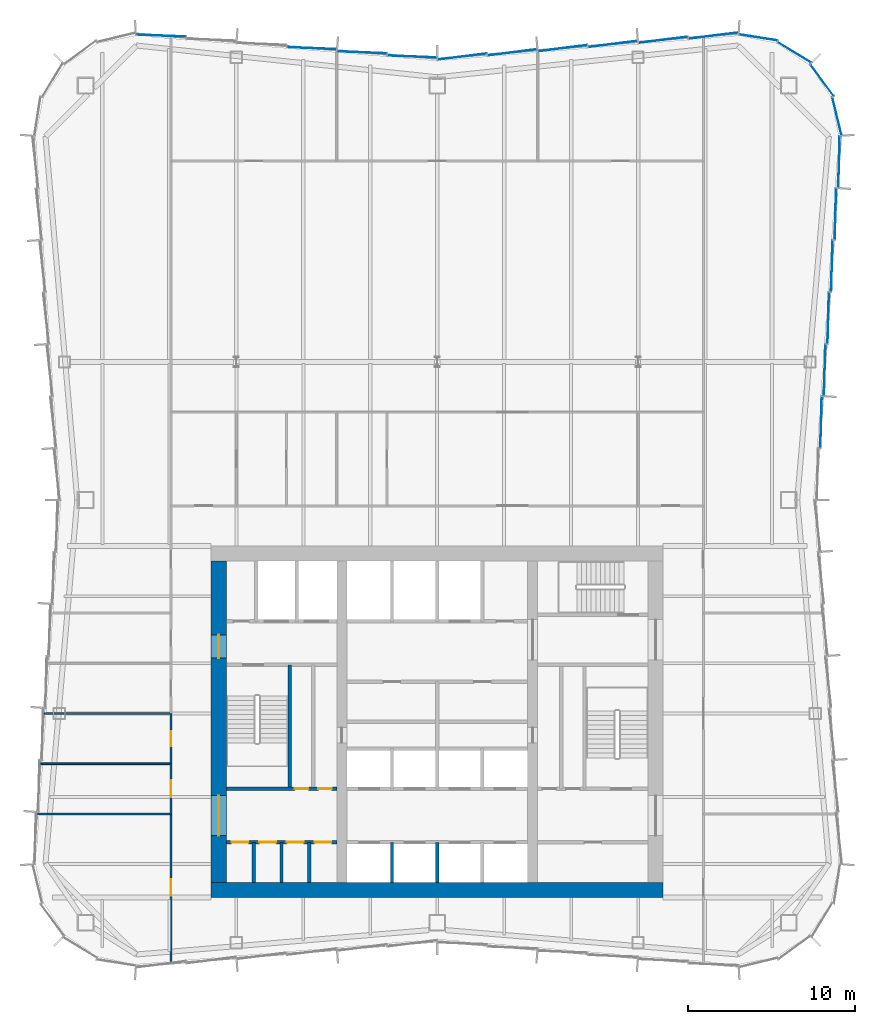
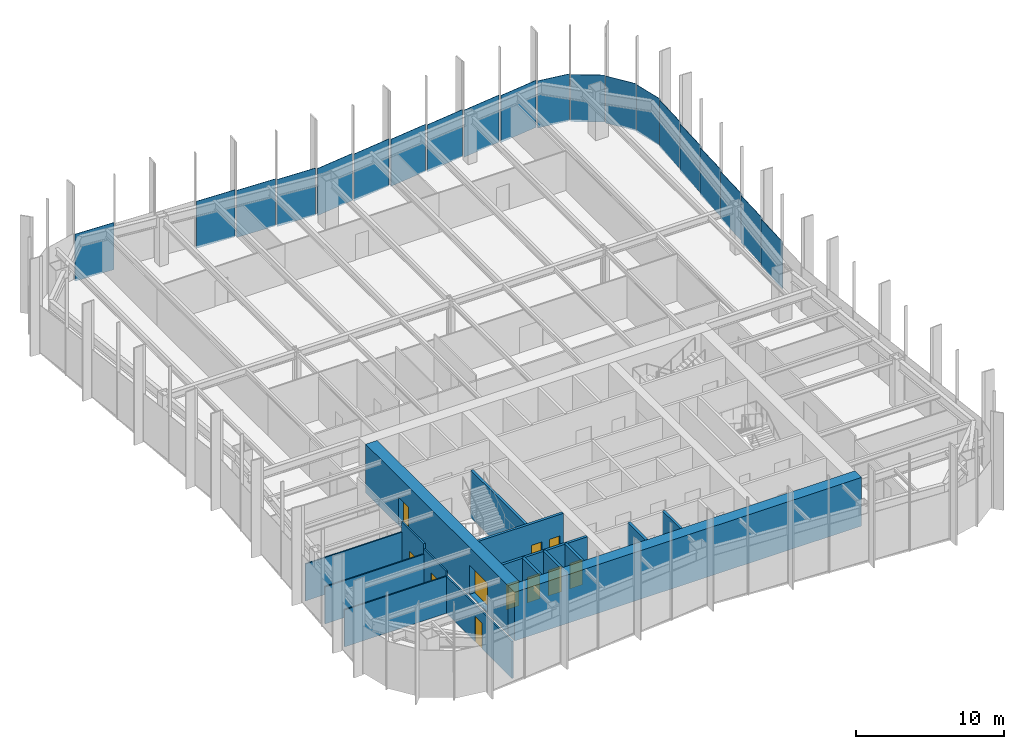
# One storey, part 9 of 13: 20 plates, 16 walls, 11 doors, 11 openings, 3 elements without a shape of their own.
"""IFC4 building model written with IfcOpenShell, lengths in metres."""

from ifc_helpers import new_model, si_unit, direction, frame, frame_2d, origin, origin_2d, place, context, subcontext, project, spatial, rectangle, extrude, material, layer, layer_set, type_object, element, fill, aggregate, save


model = new_model("IFC4")

# Units and contexts
model_context = context("Model", 3, precision=1e-05, world=origin(), true_north=direction((0.0, 1.0)))
body_context = subcontext(model_context, "Body", "Model", "MODEL_VIEW")
ifc_project = project(units=[si_unit("LENGTHUNIT", "METRE"), si_unit("AREAUNIT", "SQUARE_METRE"), si_unit("VOLUMEUNIT", "CUBIC_METRE"), si_unit("PLANEANGLEUNIT", "RADIAN"), si_unit("MASSUNIT", "GRAM", prefix="KILO")], contexts=[model_context])

# Site, building, storey
site_placement = place(None, origin())
site = spatial("IfcSite", under=ifc_project, at=site_placement, CompositionType="ELEMENT")
building_placement = place(site_placement, origin())
building = spatial("IfcBuilding", under=site, at=building_placement, Name="Verdant Reach Tower", CompositionType="ELEMENT")
storey_placement = place(building_placement, frame((0.0, 0.0, 218.0)))
storey = spatial("IfcBuildingStorey", under=building, at=storey_placement, Name="L50", CompositionType="ELEMENT", Elevation=218.0)

# Curtain wall, plates
ifc_material_1 = material(Name="Anodised aluminium", Category="aluminium")
curtain_wall_type = type_object("IfcCurtainWallType", Name="EN-CW SYSTEM Z3", PredefinedType="NOTDEFINED", material=ifc_material_1)
curtain_wall_1_placement = place(storey_placement, origin())
curtain_wall_1 = element("IfcCurtainWall", 1, at=curtain_wall_1_placement, inside=storey, type_object=curtain_wall_type, Name="Curtain wall east, L50", PredefinedType="NOTDEFINED")
ifc_material_2 = material(Name="Tinted glass with champagne spandrel", Category="glass")
ifc_layer_1 = layer(ifc_material_2, 0.031982421875)
ifc_layer_set_1 = layer_set([ifc_layer_1], Name="EN-PANEL CHAMPAGNE")
plate_type_1 = type_object("IfcPlateType", Name="EN-PANEL CHAMPAGNE", PredefinedType="CURTAIN_PANEL", material=ifc_layer_set_1)
plate_1_placement = place(storey_placement, frame((23.787353515625, 58.331787109375, -0.22412109375), z_axis=(0.0, 0.0, 1.0), x_axis=(0.026965318308, 0.999636369691, 0.0)))
plate_1 = element("IfcPlate", 2, at=plate_1_placement, type_object=plate_type_1, Name="Glass panel east face part 2 6.1, L50", PredefinedType="CURTAIN_PANEL", context=body_context, shape_type="SweptSolid", body=[
    extrude(rectangle(XDim=3.052490234375, YDim=0.031982421875, at=origin_2d()), origin(), (0.0, 0.0, 1.0), 3.8740234375),
])
plate_2_placement = place(storey_placement, frame((24.001708984375, 61.446044921875, -0.22412109375), z_axis=(0.0, 0.0, 1.0), x_axis=(0.026659626966, 0.999644568979, 0.0)))
plate_2 = element("IfcPlate", 3, at=plate_2_placement, type_object=plate_type_1, Name="Glass panel east face part 2 7.1, L50", PredefinedType="CURTAIN_PANEL", context=body_context, shape_type="SweptSolid", body=[
    extrude(rectangle(XDim=3.06689453125, YDim=0.031982421875, at=origin_2d()), origin(), (0.0, 0.0, 1.0), 3.8740234375),
])

curtain_wall_2_placement = place(storey_placement, origin())
curtain_wall_2 = element("IfcCurtainWall", 4, at=curtain_wall_2_placement, inside=storey, type_object=curtain_wall_type, Name="Curtain wall north, L50", PredefinedType="NOTDEFINED")
plate_3_placement = place(storey_placement, frame((10.490966796875, 68.483642578125, -0.22412109375), z_axis=(0.0, 0.0, 1.0), x_axis=(-0.992194034542, -0.124703639961, 0.0)))
plate_3 = element("IfcPlate", 5, at=plate_3_placement, type_object=plate_type_1, Name="Glass panel north face part 1 3.1, L50", PredefinedType="CURTAIN_PANEL", context=body_context, shape_type="SweptSolid", body=[
    extrude(rectangle(XDim=2.948486328125, YDim=0.031982421875, at=origin_2d()), origin(), (0.0, 0.0, 1.0), 3.8740234375),
])
plate_4_placement = place(storey_placement, frame((7.490966796875, 68.233642578125, -0.22412109375), z_axis=(0.0, 0.0, 1.0), x_axis=(-0.992194034542, -0.124703639961, 0.0)))
plate_4 = element("IfcPlate", 6, at=plate_4_placement, type_object=plate_type_1, Name="Glass panel north face part 1 4.1, L50", PredefinedType="CURTAIN_PANEL", context=body_context, shape_type="SweptSolid", body=[
    extrude(rectangle(XDim=2.948486328125, YDim=0.031982421875, at=origin_2d()), origin(), (0.0, 0.0, 1.0), 3.8740234375),
])
plate_5_placement = place(storey_placement, frame((-16.49853515625, 68.983642578125, -0.22412109375), z_axis=(0.0, 0.0, 1.0), x_axis=(-0.999163623568, 0.040890748818, 0.0)))
plate_5 = element("IfcPlate", 7, at=plate_5_placement, type_object=plate_type_1, Name="Glass panel north face part 2 6.1, L50", PredefinedType="CURTAIN_PANEL", context=body_context, shape_type="SweptSolid", body=[
    extrude(rectangle(XDim=2.963623046875, YDim=0.031982421875, at=origin_2d()), origin(), (0.0, 0.0, 1.0), 3.8740234375),
])

# Plate
ifc_material_3 = material(Name="Tinted glass with copper spandrel", Category="glass")
ifc_layer_2 = layer(ifc_material_3, 0.031982421875)
ifc_layer_set_2 = layer_set([ifc_layer_2], Name="EN-PANEL COPPER")
plate_type_2 = type_object("IfcPlateType", Name="EN-PANEL COPPER", PredefinedType="CURTAIN_PANEL", material=ifc_layer_set_2)
plate_6_placement = place(storey_placement, frame((22.93017578125, 45.9033203125, -0.22412109375), z_axis=(0.0, 0.0, 1.0), x_axis=(0.026965318308, 0.999636369691, 0.0)))
plate_6 = element("IfcPlate", 8, at=plate_6_placement, type_object=plate_type_2, Name="Glass panel east face part 2 2.1, L50", PredefinedType="CURTAIN_PANEL", context=body_context, shape_type="SweptSolid", body=[
    extrude(rectangle(XDim=3.052490234375, YDim=0.031982421875, at=origin_2d()), origin(), (0.0, 0.0, 1.0), 3.8740234375),
])

plate_7_placement = place(storey_placement, frame((23.14453125, 49.01025390625, -0.22412109375), z_axis=(0.0, 0.0, 1.0), x_axis=(0.026965318308, 0.999636369691, 0.0)))
plate_7 = element("IfcPlate", 9, at=plate_7_placement, type_object=plate_type_2, Name="Glass panel east face part 2 3.1, L50", PredefinedType="CURTAIN_PANEL", context=body_context, shape_type="SweptSolid", body=[
    extrude(rectangle(XDim=3.052490234375, YDim=0.031982421875, at=origin_2d()), origin(), (0.0, 0.0, 1.0), 3.8740234375),
])

# Curtain wall, plate
curtain_wall_3_placement = place(storey_placement, origin())
curtain_wall_3 = element("IfcCurtainWall", 10, at=curtain_wall_3_placement, inside=storey, type_object=curtain_wall_type, Name="Curtain wall north-east corner, L50", PredefinedType="NOTDEFINED")
plate_8_placement = place(storey_placement, frame((23.87646484375, 64.17236328125, -0.22412109375), z_axis=(0.0, 0.0, 1.0), x_axis=(-0.23644624331, 0.97164457186, 0.0)))
plate_8 = element("IfcPlate", 11, at=plate_8_placement, type_object=plate_type_2, Name="Glass panel north-east corner 1.1, L50", PredefinedType="CURTAIN_PANEL", context=body_context, shape_type="SweptSolid", body=[
    extrude(rectangle(XDim=2.314697265625, YDim=0.031982421875, at=origin_2d()), origin(), (0.0, 0.0, 1.0), 3.8740234375),
])

# Plate
plate_9_placement = place(storey_placement, frame((4.490966796875, 67.983642578125, -0.22412109375), z_axis=(0.0, 0.0, 1.0), x_axis=(-0.992194034542, -0.124703639961, 0.0)))
plate_9 = element("IfcPlate", 12, at=plate_9_placement, type_object=plate_type_2, Name="Glass panel north face part 1 5.1, L50", PredefinedType="CURTAIN_PANEL", context=body_context, shape_type="SweptSolid", body=[
    extrude(rectangle(XDim=2.948486328125, YDim=0.031982421875, at=origin_2d()), origin(), (0.0, 0.0, 1.0), 3.8740234375),
])

plate_10_placement = place(storey_placement, frame((1.495361328125, 67.73388671875, -0.22412109375), z_axis=(0.0, 0.0, 1.0), x_axis=(-0.992178382939, -0.124828107529, 0.0)))
plate_10 = element("IfcPlate", 13, at=plate_10_placement, type_object=plate_type_2, Name="Glass panel north face part 1 6.1, L50", PredefinedType="CURTAIN_PANEL", context=body_context, shape_type="SweptSolid", body=[
    extrude(rectangle(XDim=2.939453125, YDim=0.031982421875, at=origin_2d()), origin(), (0.0, 0.0, 1.0), 3.8740234375),
])

plate_11_placement = place(storey_placement, frame((-1.495361328125, 67.73388671875, -0.22412109375), z_axis=(0.0, 0.0, 1.0), x_axis=(-0.999144020525, 0.041366970501, 0.0)))
plate_11 = element("IfcPlate", 14, at=plate_11_placement, type_object=plate_type_2, Name="Glass panel north face part 2 1.1, L50", PredefinedType="CURTAIN_PANEL", context=body_context, shape_type="SweptSolid", body=[
    extrude(rectangle(XDim=2.939453125, YDim=0.031982421875, at=origin_2d()), origin(), (0.0, 0.0, 1.0), 3.8740234375),
])

ifc_material_4 = material(Name="Tinted glass with dark bronze spandrel", Category="glass")
ifc_layer_3 = layer(ifc_material_4, 0.031982421875)
ifc_layer_set_3 = layer_set([ifc_layer_3], Name="EN-PANEL DARK")
plate_type_3 = type_object("IfcPlateType", Name="EN-PANEL DARK", PredefinedType="CURTAIN_PANEL", material=ifc_layer_set_3)
plate_12_placement = place(storey_placement, frame((23.358642578125, 52.117431640625, -0.22412109375), z_axis=(0.0, 0.0, 1.0), x_axis=(0.026965318308, 0.999636369691, 0.0)))
plate_12 = element("IfcPlate", 15, at=plate_12_placement, type_object=plate_type_3, Name="Glass panel east face part 2 4.1, L50", PredefinedType="CURTAIN_PANEL", context=body_context, shape_type="SweptSolid", body=[
    extrude(rectangle(XDim=3.052490234375, YDim=0.031982421875, at=origin_2d()), origin(), (0.0, 0.0, 1.0), 3.8740234375),
])

plate_13_placement = place(storey_placement, frame((23.572998046875, 55.224609375, -0.22412109375), z_axis=(0.0, 0.0, 1.0), x_axis=(0.026965318308, 0.999636369691, 0.0)))
plate_13 = element("IfcPlate", 16, at=plate_13_placement, type_object=plate_type_3, Name="Glass panel east face part 2 5.1, L50", PredefinedType="CURTAIN_PANEL", context=body_context, shape_type="SweptSolid", body=[
    extrude(rectangle(XDim=3.052490234375, YDim=0.031982421875, at=origin_2d()), origin(), (0.0, 0.0, 1.0), 3.8740234375),
])

aggregate(curtain_wall_1, [plate_6, plate_7, plate_12, plate_13, plate_1, plate_2])

plate_14_placement = place(storey_placement, frame((22.98193359375, 66.328857421875, -0.22412109375), z_axis=(0.0, 0.0, 1.0), x_axis=(-0.589926747542, 0.807456768214, 0.0)))
plate_14 = element("IfcPlate", 17, at=plate_14_placement, type_object=plate_type_3, Name="Glass panel north-east corner 2.1, L50", PredefinedType="CURTAIN_PANEL", context=body_context, shape_type="SweptSolid", body=[
    extrude(rectangle(XDim=2.321533203125, YDim=0.031982421875, at=origin_2d()), origin(), (0.0, 0.0, 1.0), 3.8740234375),
])

plate_15_placement = place(storey_placement, frame((21.328857421875, 67.98193359375, -0.22412109375), z_axis=(0.0, 0.0, 1.0), x_axis=(-0.853988701636, 0.520291550457, 0.0)))
plate_15 = element("IfcPlate", 18, at=plate_15_placement, type_object=plate_type_3, Name="Glass panel north-east corner 3.1, L50", PredefinedType="CURTAIN_PANEL", context=body_context, shape_type="SweptSolid", body=[
    extrude(rectangle(XDim=2.321533203125, YDim=0.031982421875, at=origin_2d()), origin(), (0.0, 0.0, 1.0), 3.8740234375),
])

plate_16_placement = place(storey_placement, frame((19.171875, 68.87646484375, -0.22412109375), z_axis=(0.0, 0.0, 1.0), x_axis=(-0.988029071555, 0.154267798848, 0.0)))
plate_16 = element("IfcPlate", 19, at=plate_16_placement, type_object=plate_type_3, Name="Glass panel north-east corner 4.1, L50", PredefinedType="CURTAIN_PANEL", context=body_context, shape_type="SweptSolid", body=[
    extrude(rectangle(XDim=2.3154296875, YDim=0.031982421875, at=origin_2d()), origin(), (0.0, 0.0, 1.0), 3.8740234375),
])

aggregate(curtain_wall_3, [plate_8, plate_14, plate_15, plate_16])

plate_17_placement = place(storey_placement, frame((16.49853515625, 68.983642578125, -0.22412109375), z_axis=(0.0, 0.0, 1.0), x_axis=(-0.992237766434, -0.124355196363, 0.0)))
plate_17 = element("IfcPlate", 20, at=plate_17_placement, type_object=plate_type_3, Name="Glass panel north face part 1 1.1, L50", PredefinedType="CURTAIN_PANEL", context=body_context, shape_type="SweptSolid", body=[
    extrude(rectangle(XDim=2.963623046875, YDim=0.031982421875, at=origin_2d()), origin(), (0.0, 0.0, 1.0), 3.8740234375),
])

plate_18_placement = place(storey_placement, frame((13.490966796875, 68.733642578125, -0.22412109375), z_axis=(0.0, 0.0, 1.0), x_axis=(-0.992194034542, -0.124703639961, 0.0)))
plate_18 = element("IfcPlate", 21, at=plate_18_placement, type_object=plate_type_3, Name="Glass panel north face part 1 2.1, L50", PredefinedType="CURTAIN_PANEL", context=body_context, shape_type="SweptSolid", body=[
    extrude(rectangle(XDim=2.948486328125, YDim=0.031982421875, at=origin_2d()), origin(), (0.0, 0.0, 1.0), 3.8740234375),
])

plate_19_placement = place(storey_placement, frame((-4.490966796875, 67.983642578125, -0.22412109375), z_axis=(0.0, 0.0, 1.0), x_axis=(-0.999149202059, 0.041241629766, 0.0)))
plate_19 = element("IfcPlate", 22, at=plate_19_placement, type_object=plate_type_3, Name="Glass panel north face part 2 2.1, L50", PredefinedType="CURTAIN_PANEL", context=body_context, shape_type="SweptSolid", body=[
    extrude(rectangle(XDim=2.948486328125, YDim=0.031982421875, at=origin_2d()), origin(), (0.0, 0.0, 1.0), 3.8740234375),
])

plate_20_placement = place(storey_placement, frame((-7.490966796875, 68.233642578125, -0.22412109375), z_axis=(0.0, 0.0, 1.0), x_axis=(-0.999149202059, 0.041241629766, 0.0)))
plate_20 = element("IfcPlate", 23, at=plate_20_placement, type_object=plate_type_3, Name="Glass panel north face part 2 3.1, L50", PredefinedType="CURTAIN_PANEL", context=body_context, shape_type="SweptSolid", body=[
    extrude(rectangle(XDim=2.948486328125, YDim=0.031982421875, at=origin_2d()), origin(), (0.0, 0.0, 1.0), 3.8740234375),
])

aggregate(curtain_wall_2, [plate_17, plate_18, plate_3, plate_4, plate_9, plate_10, plate_11, plate_19, plate_20, plate_5])

# Wall, openings, doors
ifc_material_5 = material(Name="Gypsum board on steel studs", Category="steel")
ifc_layer_4 = layer(ifc_material_5, 0.199951171875)
ifc_layer_set_4 = layer_set([ifc_layer_4], Name="CO-WALL-ROOM")
wall_type_1 = type_object("IfcWallType", Name="CO-WALL-ROOM", PredefinedType="PARTITIONING", material=ifc_layer_set_4)
wall_1_placement = place(storey_placement, frame((-12.60009765625, 20.800048828125, 0.0), z_axis=(0.0, 0.0, 1.0), x_axis=(1.0, 0.0, 0.0)))
wall_1 = element("IfcWall", 24, at=wall_1_placement, inside=storey, type_object=wall_type_1, Name="Core partition, L50", PredefinedType="PARTITIONING", context=body_context, shape_type="SweptSolid", body=[
    extrude(rectangle(XDim=6.60009765625, YDim=0.199951171875, at=frame_2d((3.300048828125, 0.0))), origin(), (0.0, 0.0, 1.0), 3.8701171875),
])
opening_1_placement = place(wall_1_placement, frame((0.324951171875, 0.0, 0.0)))
opening_1 = element("IfcOpeningElement", 25, at=opening_1_placement, cuts=wall_1, Name="Opening CD", PredefinedType="OPENING", context=body_context, shape_type="SweptSolid", body=[
    extrude(rectangle(XDim=1.0, YDim=2.10009765625, at=frame_2d((0.5, 1.050048828125))), frame((0.0, 0.10986328125, 0.0), z_axis=(0.0, -1.0, 0.0), x_axis=(1.0, 0.0, 0.0)), (0.0, 0.0, 1.0), 0.219970703125),
])
opening_2_placement = place(wall_1_placement, frame((1.97509765625, 0.0, 0.0)))
opening_2 = element("IfcOpeningElement", 26, at=opening_2_placement, cuts=wall_1, Name="Opening CD", PredefinedType="OPENING", context=body_context, shape_type="SweptSolid", body=[
    extrude(rectangle(XDim=1.0, YDim=2.10009765625, at=frame_2d((0.5, 1.050048828125))), frame((0.0, 0.10986328125, 0.0), z_axis=(0.0, -1.0, 0.0), x_axis=(1.0, 0.0, 0.0)), (0.0, 0.0, 1.0), 0.219970703125),
])
opening_3_placement = place(wall_1_placement, frame((3.625, 0.0, 0.0)))
opening_3 = element("IfcOpeningElement", 27, at=opening_3_placement, cuts=wall_1, Name="Opening CD", PredefinedType="OPENING", context=body_context, shape_type="SweptSolid", body=[
    extrude(rectangle(XDim=1.0, YDim=2.10009765625, at=frame_2d((0.5, 1.050048828125))), frame((0.0, 0.10986328125, 0.0), z_axis=(0.0, -1.0, 0.0), x_axis=(1.0, 0.0, 0.0)), (0.0, 0.0, 1.0), 0.219970703125),
])
opening_4_placement = place(wall_1_placement, frame((5.27490234375, 0.0, 0.0)))
opening_4 = element("IfcOpeningElement", 28, at=opening_4_placement, cuts=wall_1, Name="Opening CD", PredefinedType="OPENING", context=body_context, shape_type="SweptSolid", body=[
    extrude(rectangle(XDim=1.0, YDim=2.10009765625, at=frame_2d((0.5, 1.050048828125))), frame((0.0, 0.10986328125, 0.0), z_axis=(0.0, -1.0, 0.0), x_axis=(1.0, 0.0, 0.0)), (0.0, 0.0, 1.0), 0.219970703125),
])
ifc_material_6 = material(Name="Timber", Category="wood")
door_type_1 = type_object("IfcDoorType", Name="CO-DOOR-ROOM", OperationType="NOTDEFINED", PredefinedType="DOOR", material=ifc_material_6)
door_1_placement = place(opening_1_placement, origin())
door_1 = element("IfcDoor", 29, at=door_1_placement, inside=storey, type_object=door_type_1, Name="Core room door, L50", OperationType="SINGLE_SWING_RIGHT", OverallHeight=2.10009765625, OverallWidth=1.0, PredefinedType="DOOR", context=body_context, shape_type="SweptSolid", body=[
    extrude(rectangle(XDim=1.0, YDim=2.10009765625, at=frame_2d((0.5, 1.050048828125))), frame((0.0, 0.02490234375, 0.0), z_axis=(0.0, -1.0, 0.0), x_axis=(1.0, 0.0, 0.0)), (0.0, 0.0, 1.0), 0.050048828125),
])
fill(opening_1, door_1)
door_2_placement = place(opening_2_placement, origin())
door_2 = element("IfcDoor", 30, at=door_2_placement, inside=storey, type_object=door_type_1, Name="Core room door, L50", OperationType="SINGLE_SWING_RIGHT", OverallHeight=2.10009765625, OverallWidth=1.0, PredefinedType="DOOR", context=body_context, shape_type="SweptSolid", body=[
    extrude(rectangle(XDim=1.0, YDim=2.10009765625, at=frame_2d((0.5, 1.050048828125))), frame((0.0, 0.02490234375, 0.0), z_axis=(0.0, -1.0, 0.0), x_axis=(1.0, 0.0, 0.0)), (0.0, 0.0, 1.0), 0.050048828125),
])
fill(opening_2, door_2)
door_3_placement = place(opening_3_placement, origin())
door_3 = element("IfcDoor", 31, at=door_3_placement, inside=storey, type_object=door_type_1, Name="Core room door, L50", OperationType="SINGLE_SWING_LEFT", OverallHeight=2.10009765625, OverallWidth=1.0, PredefinedType="DOOR", context=body_context, shape_type="SweptSolid", body=[
    extrude(rectangle(XDim=1.0, YDim=2.10009765625, at=frame_2d((0.5, 1.050048828125))), frame((0.0, 0.02490234375, 0.0), z_axis=(0.0, -1.0, 0.0), x_axis=(1.0, 0.0, 0.0)), (0.0, 0.0, 1.0), 0.050048828125),
])
fill(opening_3, door_3)
door_4_placement = place(opening_4_placement, origin())
door_4 = element("IfcDoor", 32, at=door_4_placement, inside=storey, type_object=door_type_1, Name="Core room door, L50", OperationType="SINGLE_SWING_LEFT", OverallHeight=2.10009765625, OverallWidth=1.0, PredefinedType="DOOR", context=body_context, shape_type="SweptSolid", body=[
    extrude(rectangle(XDim=1.0, YDim=2.10009765625, at=frame_2d((0.5, 1.050048828125))), frame((0.0, 0.02490234375, 0.0), z_axis=(0.0, -1.0, 0.0), x_axis=(1.0, 0.0, 0.0)), (0.0, 0.0, 1.0), 0.050048828125),
])
fill(opening_4, door_4)

# Walls
for number, where, z_axis, x_axis, name in (
    (33, (-10.949951171875, 18.39990234375, 0.0), (0.0, 0.0, 1.0), (0.0, 1.0, 0.0), "Core partition, L50"),
    (34, (-9.300048828125, 18.39990234375, 0.0), (0.0, 0.0, 1.0), (0.0, 1.0, 0.0), "Core partition, L50"),
    (35, (-7.64990234375, 18.39990234375, 0.0), (0.0, 0.0, 1.0), (0.0, 1.0, 0.0), "Core partition, L50"),
):
    element("IfcWall", number, at=place(storey_placement, frame(where, z_axis=z_axis, x_axis=x_axis)), inside=storey, type_object=wall_type_1, Name=name, PredefinedType="PARTITIONING", context=body_context, shape_type="SweptSolid", body=[
        extrude(rectangle(XDim=2.400146484375, YDim=0.199951171875, at=frame_2d((1.2001953125, 0.0))), origin(), (0.0, 0.0, 1.0), 3.8701171875),
    ])
ifc_material_7 = material(Name="Concrete C40/50", Category="concrete")
ifc_layer_5 = layer(ifc_material_7, 0.199951171875)
ifc_layer_set_5 = layer_set([ifc_layer_5], Name="CO-WALL-SHAFT")
wall_type_2 = type_object("IfcWallType", Name="CO-WALL-SHAFT", PredefinedType="PARTITIONING", material=ifc_layer_set_5)
for number, where, z_axis, x_axis, name in (
    (36, (-2.699951171875, 18.39990234375, 0.0), (0.0, 0.0, 1.0), (0.0, 1.0, 0.0), "Lift shaft wall, L50"),
    (37, (0.0, 18.39990234375, 0.0), (0.0, 0.0, 1.0), (0.0, 1.0, 0.0), "Lift shaft wall, L50"),
):
    element("IfcWall", number, at=place(storey_placement, frame(where, z_axis=z_axis, x_axis=x_axis)), inside=storey, type_object=wall_type_2, Name=name, PredefinedType="PARTITIONING", context=body_context, shape_type="SweptSolid", body=[
        extrude(rectangle(XDim=2.400146484375, YDim=0.199951171875, at=frame_2d((1.2001953125, 0.0))), origin(), (0.0, 0.0, 1.0), 3.8701171875),
    ])

# Wall, openings, doors
ifc_layer_6 = layer(ifc_material_7, 0.199951171875)
ifc_layer_set_6 = layer_set([ifc_layer_6], Name="CO-WALL-STAIR")
wall_type_3 = type_object("IfcWallType", Name="CO-WALL-STAIR", PredefinedType="PARTITIONING", material=ifc_layer_set_6)
wall_2_placement = place(storey_placement, frame((-12.60009765625, 24.0, 0.0), z_axis=(0.0, 0.0, 1.0), x_axis=(1.0, 0.0, 0.0)))
wall_2 = element("IfcWall", 38, at=wall_2_placement, inside=storey, type_object=wall_type_3, Name="Stair enclosure wall, L50", PredefinedType="PARTITIONING", context=body_context, shape_type="SweptSolid", body=[
    extrude(rectangle(XDim=6.60009765625, YDim=0.199951171875, at=frame_2d((3.300048828125, 0.0))), origin(), (0.0, 0.0, 1.0), 3.8701171875),
])
opening_5_placement = place(wall_2_placement, frame((4.10009765625, 0.0, 0.0)))
opening_5 = element("IfcOpeningElement", 39, at=opening_5_placement, cuts=wall_2, Name="Opening CDN", PredefinedType="OPENING", context=body_context, shape_type="SweptSolid", body=[
    extrude(rectangle(XDim=0.800048828125, YDim=2.10009765625, at=frame_2d((0.39990234375, 1.050048828125))), frame((0.0, 0.10986328125, 0.0), z_axis=(0.0, -1.0, 0.0), x_axis=(1.0, 0.0, 0.0)), (0.0, 0.0, 1.0), 0.219970703125),
])
opening_6_placement = place(wall_2_placement, frame((5.5, 0.0, 0.0)))
opening_6 = element("IfcOpeningElement", 40, at=opening_6_placement, cuts=wall_2, Name="Opening CDN", PredefinedType="OPENING", context=body_context, shape_type="SweptSolid", body=[
    extrude(rectangle(XDim=0.800048828125, YDim=2.10009765625, at=frame_2d((0.39990234375, 1.050048828125))), frame((0.0, 0.10986328125, 0.0), z_axis=(0.0, -1.0, 0.0), x_axis=(1.0, 0.0, 0.0)), (0.0, 0.0, 1.0), 0.219970703125),
])
door_type_2 = type_object("IfcDoorType", Name="CO-DOOR-ROOM-NARROW", OperationType="NOTDEFINED", PredefinedType="DOOR", material=ifc_material_6)
door_5_placement = place(opening_5_placement, origin())
door_5 = element("IfcDoor", 41, at=door_5_placement, inside=storey, type_object=door_type_2, Name="Core room door, L50", OperationType="SINGLE_SWING_RIGHT", OverallHeight=2.10009765625, OverallWidth=0.800048828125, PredefinedType="DOOR", context=body_context, shape_type="SweptSolid", body=[
    extrude(rectangle(XDim=0.800048828125, YDim=2.10009765625, at=frame_2d((0.39990234375, 1.050048828125))), frame((0.0, 0.02490234375, 0.0), z_axis=(0.0, -1.0, 0.0), x_axis=(1.0, 0.0, 0.0)), (0.0, 0.0, 1.0), 0.050048828125),
])
fill(opening_5, door_5)
door_6_placement = place(opening_6_placement, origin())
door_6 = element("IfcDoor", 42, at=door_6_placement, inside=storey, type_object=door_type_2, Name="Core room door, L50", OperationType="SINGLE_SWING_LEFT", OverallHeight=2.10009765625, OverallWidth=0.800048828125, PredefinedType="DOOR", context=body_context, shape_type="SweptSolid", body=[
    extrude(rectangle(XDim=0.800048828125, YDim=2.10009765625, at=frame_2d((0.39990234375, 1.050048828125))), frame((0.0, 0.02490234375, 0.0), z_axis=(0.0, -1.0, 0.0), x_axis=(1.0, 0.0, 0.0)), (0.0, 0.0, 1.0), 0.050048828125),
])
fill(opening_6, door_6)

# Walls
wall_3_placement = place(storey_placement, frame((-8.800048828125, 24.0, 0.0), z_axis=(0.0, 0.0, 1.0), x_axis=(0.0, 1.0, 0.0)))
element("IfcWall", 43, at=wall_3_placement, inside=storey, type_object=wall_type_3, Name="Stair enclosure wall, L50", PredefinedType="PARTITIONING", context=body_context, shape_type="SweptSolid", body=[
    extrude(rectangle(XDim=7.39990234375, YDim=0.199951171875, at=frame_2d((3.699951171875, 0.0))), origin(), (0.0, 0.0, 1.0), 3.8701171875),
])
ifc_layer_7 = layer(ifc_material_5, 0.10009765625)
ifc_layer_set_7 = layer_set([ifc_layer_7], Name="FL-W1 Partition 100")
wall_type_4 = type_object("IfcWallType", Name="FL-W1 Partition 100", PredefinedType="PARTITIONING", material=ifc_layer_set_7)
wall_4_placement = place(storey_placement, frame((-15.89990234375, 22.5, 0.0), z_axis=(0.0, 0.0, 1.0), x_axis=(-1.0, 0.0, 0.0)))
element("IfcWall", 44, at=wall_4_placement, inside=storey, type_object=wall_type_4, Name="Partition 50.38", PredefinedType="PARTITIONING", context=body_context, shape_type="SweptSolid", body=[
    extrude(rectangle(XDim=7.97314453125, YDim=0.10009765625, at=frame_2d((3.986572265625, 0.0))), origin(), (0.0, 0.0, 1.0), 3.0400390625),
])
wall_5_placement = place(storey_placement, frame((-15.89990234375, 25.5, 0.0), z_axis=(0.0, 0.0, 1.0), x_axis=(-1.0, 0.0, 0.0)))
element("IfcWall", 45, at=wall_5_placement, inside=storey, type_object=wall_type_4, Name="Partition 50.39", PredefinedType="PARTITIONING", context=body_context, shape_type="SweptSolid", body=[
    extrude(rectangle(XDim=7.766357421875, YDim=0.10009765625, at=frame_2d((3.88330078125, 0.0))), origin(), (0.0, 0.0, 1.0), 3.0400390625),
])
wall_6_placement = place(storey_placement, frame((-15.89990234375, 28.5, 0.0), z_axis=(0.0, 0.0, 1.0), x_axis=(-1.0, 0.0, 0.0)))
element("IfcWall", 46, at=wall_6_placement, inside=storey, type_object=wall_type_4, Name="Partition 50.40", PredefinedType="PARTITIONING", context=body_context, shape_type="SweptSolid", body=[
    extrude(rectangle(XDim=7.559326171875, YDim=0.10009765625, at=frame_2d((3.77978515625, 0.0))), origin(), (0.0, 0.0, 1.0), 3.0400390625),
])

# Wall, opening, door
ifc_material_8 = material(Name="Gypsum board on steel studs, fire rated", Category="steel")
ifc_layer_8 = layer(ifc_material_8, 0.125)
ifc_layer_set_8 = layer_set([ifc_layer_8], Name="FL-W2 Corridor wall 125")
wall_type_5 = type_object("IfcWallType", Name="FL-W2 Corridor wall 125", PredefinedType="PARTITIONING", material=ifc_layer_set_8)
wall_7_placement = place(storey_placement, frame((-15.89990234375, 13.594970703125, 0.0), z_axis=(0.0, 0.0, 1.0), x_axis=(0.0, 1.0, 0.0)))
wall_7 = element("IfcWall", 47, at=wall_7_placement, inside=storey, type_object=wall_type_5, Name="Partition 50.07", PredefinedType="PARTITIONING", context=body_context, shape_type="SweptSolid", body=[
    extrude(rectangle(XDim=8.905029296875, YDim=0.125, at=frame_2d((4.45263671875, 0.0))), origin(), (0.0, 0.0, 1.0), 3.0400390625),
])
opening_7_placement = place(wall_7_placement, frame((4.017578125, 0.0, 0.0)))
opening_7 = element("IfcOpeningElement", 48, at=opening_7_placement, cuts=wall_7, Name="Opening D2", PredefinedType="OPENING", context=body_context, shape_type="SweptSolid", body=[
    extrude(rectangle(XDim=1.0, YDim=2.10009765625, at=frame_2d((0.5, 1.050048828125))), frame((0.0, 0.072509765625, 0.0), z_axis=(0.0, -1.0, 0.0), x_axis=(1.0, 0.0, 0.0)), (0.0, 0.0, 1.0), 0.14501953125),
])
ifc_material_9 = material(Name="Timber door leaf, fire rated", Category="wood")
door_type_3 = type_object("IfcDoorType", Name="FL-D2 Entrance door 1000x2100 FD30", OperationType="NOTDEFINED", PredefinedType="DOOR", material=ifc_material_9)
door_7_placement = place(opening_7_placement, origin())
door_7 = element("IfcDoor", 49, at=door_7_placement, inside=storey, type_object=door_type_3, Name="Door 50-004", OperationType="SINGLE_SWING_RIGHT", OverallHeight=2.10009765625, OverallWidth=1.0, PredefinedType="DOOR", context=body_context, shape_type="SweptSolid", body=[
    extrude(rectangle(XDim=1.0, YDim=2.10009765625, at=frame_2d((0.5, 1.050048828125))), frame((0.0, 0.02490234375, 0.0), z_axis=(0.0, -1.0, 0.0), x_axis=(1.0, 0.0, 0.0)), (0.0, 0.0, 1.0), 0.050048828125),
])
fill(opening_7, door_7)

wall_8_placement = place(storey_placement, frame((-15.89990234375, 22.5, 0.0), z_axis=(0.0, 0.0, 1.0), x_axis=(0.0, 1.0, 0.0)))
wall_8 = element("IfcWall", 50, at=wall_8_placement, inside=storey, type_object=wall_type_5, Name="Partition 50.08", PredefinedType="PARTITIONING", context=body_context, shape_type="SweptSolid", body=[
    extrude(rectangle(XDim=3.0, YDim=0.125, at=frame_2d((1.5, 0.0))), origin(), (0.0, 0.0, 1.0), 3.43994140625),
])
opening_8_placement = place(wall_8_placement, frame((1.0, 0.0, 0.0)))
opening_8 = element("IfcOpeningElement", 51, at=opening_8_placement, cuts=wall_8, Name="Opening D2", PredefinedType="OPENING", context=body_context, shape_type="SweptSolid", body=[
    extrude(rectangle(XDim=1.0, YDim=2.10009765625, at=frame_2d((0.5, 1.050048828125))), frame((0.0, 0.072509765625, 0.0), z_axis=(0.0, -1.0, 0.0), x_axis=(1.0, 0.0, 0.0)), (0.0, 0.0, 1.0), 0.14501953125),
])
door_8_placement = place(opening_8_placement, origin())
door_8 = element("IfcDoor", 52, at=door_8_placement, inside=storey, type_object=door_type_3, Name="Door 50-005", OperationType="SINGLE_SWING_LEFT", OverallHeight=2.10009765625, OverallWidth=1.0, PredefinedType="DOOR", context=body_context, shape_type="SweptSolid", body=[
    extrude(rectangle(XDim=1.0, YDim=2.10009765625, at=frame_2d((0.5, 1.050048828125))), frame((0.0, 0.02490234375, 0.0), z_axis=(0.0, -1.0, 0.0), x_axis=(1.0, 0.0, 0.0)), (0.0, 0.0, 1.0), 0.050048828125),
])
fill(opening_8, door_8)

wall_9_placement = place(storey_placement, frame((-15.89990234375, 25.5, 0.0), z_axis=(0.0, 0.0, 1.0), x_axis=(0.0, 1.0, 0.0)))
wall_9 = element("IfcWall", 53, at=wall_9_placement, inside=storey, type_object=wall_type_5, Name="Partition 50.09", PredefinedType="PARTITIONING", context=body_context, shape_type="SweptSolid", body=[
    extrude(rectangle(XDim=3.0, YDim=0.125, at=frame_2d((1.5, 0.0))), origin(), (0.0, 0.0, 1.0), 3.8701171875),
])
opening_9_placement = place(wall_9_placement, frame((1.050048828125, 0.0, 0.0)))
opening_9 = element("IfcOpeningElement", 54, at=opening_9_placement, cuts=wall_9, Name="Opening D1", PredefinedType="OPENING", context=body_context, shape_type="SweptSolid", body=[
    extrude(rectangle(XDim=0.89990234375, YDim=2.10009765625, at=frame_2d((0.449951171875, 1.050048828125))), frame((0.0, 0.072509765625, 0.0), z_axis=(0.0, -1.0, 0.0), x_axis=(1.0, 0.0, 0.0)), (0.0, 0.0, 1.0), 0.14501953125),
])
ifc_material_10 = material(Name="Painted timber door leaf", Category="wood")
door_type_4 = type_object("IfcDoorType", Name="FL-D1 Door 900x2100", OperationType="NOTDEFINED", PredefinedType="DOOR", material=ifc_material_10)
door_9_placement = place(opening_9_placement, origin())
door_9 = element("IfcDoor", 55, at=door_9_placement, inside=storey, type_object=door_type_4, Name="Door 50-006", OperationType="SINGLE_SWING_RIGHT", OverallHeight=2.10009765625, OverallWidth=0.89990234375, PredefinedType="DOOR", context=body_context, shape_type="SweptSolid", body=[
    extrude(rectangle(XDim=0.89990234375, YDim=2.10009765625, at=frame_2d((0.449951171875, 1.050048828125))), frame((0.0, 0.02490234375, 0.0), z_axis=(0.0, -1.0, 0.0), x_axis=(1.0, 0.0, 0.0)), (0.0, 0.0, 1.0), 0.050048828125),
])
fill(opening_9, door_9)

# Wall
ifc_material_11 = material(Name="Concrete C70/85", Category="concrete")
ifc_layer_9 = layer(ifc_material_11, 0.89990234375)
ifc_layer_set_9 = layer_set([ifc_layer_9], Name="ST-CORE-WALL-900")
wall_type_6 = type_object("IfcWallType", Name="ST-CORE-WALL-900", PredefinedType="SHEAR", material=ifc_layer_set_9)
wall_10_placement = place(storey_placement, frame((-13.5, 17.949951171875, -0.1298828125), z_axis=(0.0, 0.0, 1.0), x_axis=(1.0, 0.0, 0.0)))
element("IfcWall", 56, at=wall_10_placement, inside=storey, type_object=wall_type_6, Name="Core wall S, L50", PredefinedType="SHEAR", context=body_context, shape_type="SweptSolid", body=[
    extrude(rectangle(XDim=27.0, YDim=0.89990234375, at=frame_2d((13.5, 0.0))), origin(), (0.0, 0.0, 1.0), 4.0),
])

# Wall, openings, doors
wall_11_placement = place(storey_placement, frame((-13.050048828125, 18.39990234375, -0.1298828125), z_axis=(0.0, 0.0, 1.0), x_axis=(0.0, 1.0, 0.0)))
wall_11 = element("IfcWall", 57, at=wall_11_placement, inside=storey, type_object=wall_type_6, Name="Core wall W, L50", PredefinedType="SHEAR", context=body_context, shape_type="SweptSolid", body=[
    extrude(rectangle(XDim=19.2001953125, YDim=0.89990234375, at=frame_2d((9.60009765625, 0.0))), origin(), (0.0, 0.0, 1.0), 4.0),
])
opening_10_placement = place(wall_11_placement, frame((2.800048828125, 0.0, 0.1298828125)))
opening_10 = element("IfcOpeningElement", 58, at=opening_10_placement, cuts=wall_11, Name="Opening LB", PredefinedType="OPENING", context=body_context, shape_type="SweptSolid", body=[
    extrude(rectangle(XDim=2.39990234375, YDim=2.39990234375, at=frame_2d((1.199951171875, 1.199951171875))), frame((0.0, 0.4599609375, 0.0), z_axis=(0.0, -1.0, 0.0), x_axis=(1.0, 0.0, 0.0)), (0.0, 0.0, 1.0), 0.919921875),
])
opening_11_placement = place(wall_11_placement, frame((13.39990234375, 0.0, 0.1298828125)))
opening_11 = element("IfcOpeningElement", 59, at=opening_11_placement, cuts=wall_11, Name="Opening FL", PredefinedType="OPENING", context=body_context, shape_type="SweptSolid", body=[
    extrude(rectangle(XDim=1.39990234375, YDim=2.199951171875, at=frame_2d((0.699951171875, 1.10009765625))), frame((0.0, 0.4599609375, 0.0), z_axis=(0.0, -1.0, 0.0), x_axis=(1.0, 0.0, 0.0)), (0.0, 0.0, 1.0), 0.919921875),
])
ifc_material_12 = material(Name="Steel", Category="steel")
door_type_5 = type_object("IfcDoorType", Name="CO-DOOR-FFL", OperationType="NOTDEFINED", PredefinedType="DOOR", material=ifc_material_12)
door_10_placement = place(opening_11_placement, origin())
door_10 = element("IfcDoor", 60, at=door_10_placement, inside=storey, type_object=door_type_5, Name="Core entrance door, L50", OperationType="SINGLE_SWING_RIGHT", OverallHeight=2.199951171875, OverallWidth=1.39990234375, PredefinedType="DOOR", context=body_context, shape_type="SweptSolid", body=[
    extrude(rectangle(XDim=1.39990234375, YDim=2.199951171875, at=frame_2d((0.699951171875, 1.10009765625))), frame((0.0, 0.02490234375, 0.0), z_axis=(0.0, -1.0, 0.0), x_axis=(1.0, 0.0, 0.0)), (0.0, 0.0, 1.0), 0.050048828125),
])
fill(opening_11, door_10)
ifc_material_13 = material(Name="Glass and steel", Category="steel")
door_type_6 = type_object("IfcDoorType", Name="CO-DOOR-LOBBY", OperationType="DOUBLE_DOOR_SINGLE_SWING", PredefinedType="DOOR", material=ifc_material_13)
door_11_placement = place(opening_10_placement, origin())
door_11 = element("IfcDoor", 61, at=door_11_placement, inside=storey, type_object=door_type_6, Name="Core entrance door, L50", OperationType="DOUBLE_DOOR_SINGLE_SWING", OverallHeight=2.39990234375, OverallWidth=2.39990234375, PredefinedType="DOOR", context=body_context, shape_type="SweptSolid", body=[
    extrude(rectangle(XDim=2.39990234375, YDim=2.39990234375, at=frame_2d((1.199951171875, 1.199951171875))), frame((0.0, 0.02490234375, 0.0), z_axis=(0.0, -1.0, 0.0), x_axis=(1.0, 0.0, 0.0)), (0.0, 0.0, 1.0), 0.050048828125),
])
fill(opening_10, door_11)

save(model, "model.ifc")
